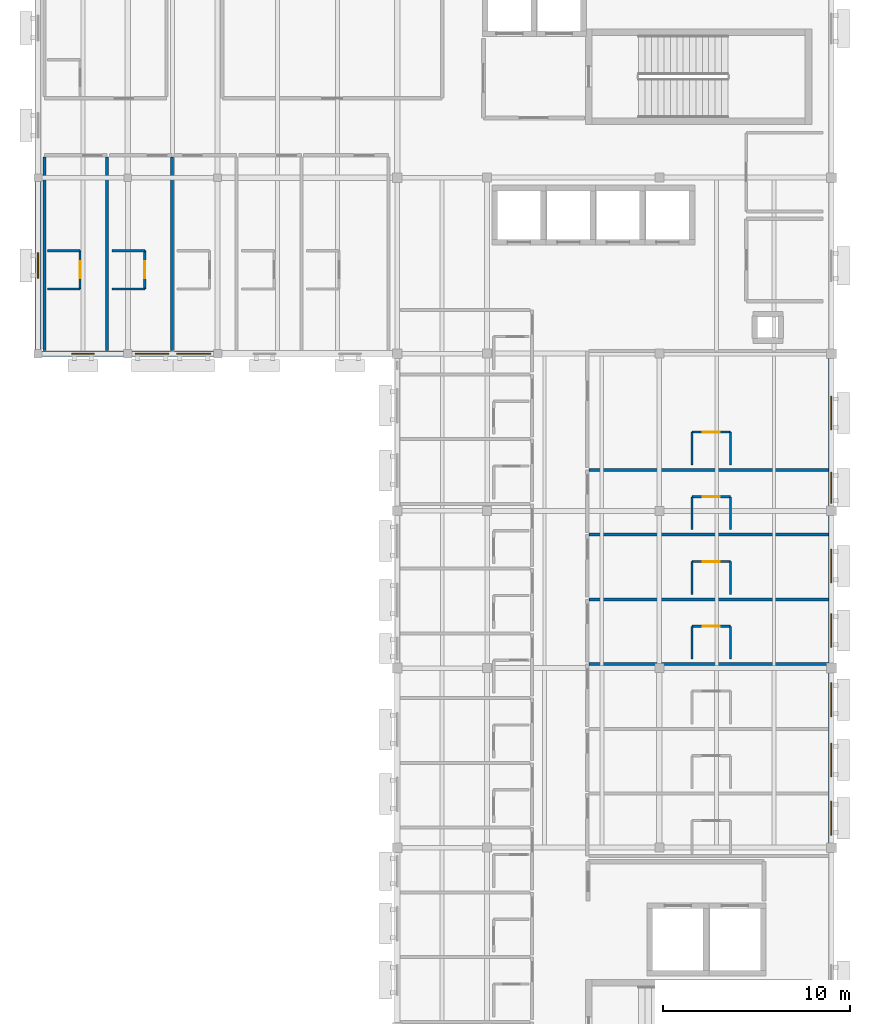
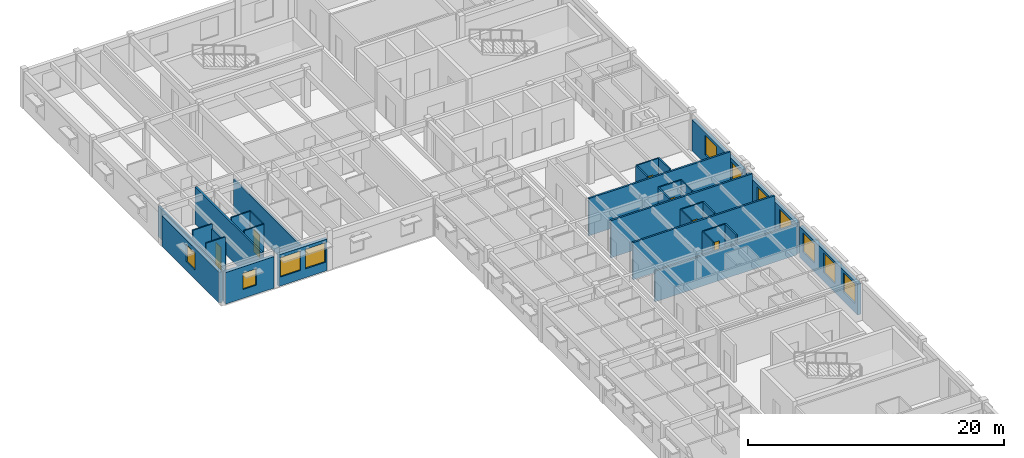
# One storey, part 12 of 20: 31 walls, 11 windows, 6 doors, 17 openings.
"""IFC4 building model written with IfcOpenShell, lengths in metres."""

from ifc_helpers import new_model, si_unit, direction, frame, frame_2d, origin, place, context, subcontext, project, spatial, rectangle, extrude, material, layer, layer_set, type_object, element, fill, save


model = new_model("IFC4")

# Units and contexts
model_context = context("Model", 3, precision=1e-05, world=origin(), true_north=direction((0.0, 1.0)))
body_context = subcontext(model_context, "Body", "Model", "MODEL_VIEW")
ifc_project = project(units=[si_unit("LENGTHUNIT", "METRE"), si_unit("AREAUNIT", "SQUARE_METRE"), si_unit("VOLUMEUNIT", "CUBIC_METRE"), si_unit("PLANEANGLEUNIT", "RADIAN"), si_unit("MASSUNIT", "GRAM", prefix="KILO")], contexts=[model_context])

# Site, building, storey
site_placement = place(None, origin())
site = spatial("IfcSite", under=ifc_project, at=site_placement, CompositionType="ELEMENT")
building_placement = place(site_placement, origin())
building = spatial("IfcBuilding", under=site, at=building_placement, Name="Veldera Park Congress Hotel", CompositionType="ELEMENT")
storey_placement = place(building_placement, frame((0.0, 0.0, 27.60009765625)))
storey = spatial("IfcBuildingStorey", under=building, at=storey_placement, Name="L06", CompositionType="ELEMENT", Elevation=27.60009765625)

# Wall, openings, windows
ifc_material_1 = material(Name="Cross-laminated timber CLT V2M1.1", Category="wood")
ifc_layer_1 = layer(ifc_material_1, 0.300048828125)
ifc_layer_set_1 = layer_set([ifc_layer_1], Name="Cross-laminated timber CLT V2M1.1")
wall_type_1 = type_object("IfcWallType", Name="EW-CLT300", PredefinedType="STANDARD", material=ifc_layer_set_1)
wall_1_placement = place(storey_placement, frame((84.0, 0.85791015625, 0.0), z_axis=(0.0, 0.0, 1.0), x_axis=(0.0, 1.0, 0.0)))
wall_1 = element("IfcWall", 1, at=wall_1_placement, inside=storey, type_object=wall_type_1, Name="L06 Exterior Wall EW3-L06-0316", PredefinedType="STANDARD", context=body_context, shape_type="SweptSolid", body=[
    extrude(rectangle(XDim=9.083984375, YDim=0.300048828125, at=frame_2d((4.5419921875, 0.0))), origin(), (0.0, 0.0, 1.0), 2.969970703125),
])
opening_1_placement = place(wall_1_placement, frame((0.416015625, 0.0, 0.85009765625)))
opening_1 = element("IfcOpeningElement", 2, at=opening_1_placement, cuts=wall_1, Name="Opening WIN-1800", PredefinedType="OPENING", context=body_context, shape_type="SweptSolid", body=[
    extrude(rectangle(XDim=1.800048828125, YDim=1.85009765625, at=frame_2d((0.89990234375, 0.925048828125))), frame((0.0, 0.162109375, 0.0), z_axis=(0.0, -1.0, 0.0), x_axis=(1.0, 0.0, 0.0)), (0.0, 0.0, 1.0), 0.323974609375),
])
opening_2_placement = place(wall_1_placement, frame((3.52197265625, 0.0, 0.85009765625)))
opening_2 = element("IfcOpeningElement", 3, at=opening_2_placement, cuts=wall_1, Name="Opening WIN-1800", PredefinedType="OPENING", context=body_context, shape_type="SweptSolid", body=[
    extrude(rectangle(XDim=1.800048828125, YDim=1.85009765625, at=frame_2d((0.89990234375, 0.925048828125))), frame((0.0, 0.162109375, 0.0), z_axis=(0.0, -1.0, 0.0), x_axis=(1.0, 0.0, 0.0)), (0.0, 0.0, 1.0), 0.323974609375),
])
opening_3_placement = place(wall_1_placement, frame((6.748046875, 0.0, 0.85009765625)))
opening_3 = element("IfcOpeningElement", 4, at=opening_3_placement, cuts=wall_1, Name="Opening WIN-1800", PredefinedType="OPENING", context=body_context, shape_type="SweptSolid", body=[
    extrude(rectangle(XDim=1.800048828125, YDim=1.85009765625, at=frame_2d((0.89990234375, 0.925048828125))), frame((0.0, 0.162109375, 0.0), z_axis=(0.0, -1.0, 0.0), x_axis=(1.0, 0.0, 0.0)), (0.0, 0.0, 1.0), 0.323974609375),
])
ifc_material_2 = material(Name="Low-E Triple Insulating Glass Unit (SHGC 0.22)", Category="glass")
window_type_1 = type_object("IfcWindowType", Name="WIN-1800", PartitioningType="SINGLE_PANEL", PredefinedType="WINDOW", material=ifc_material_2)
window_1_placement = place(opening_1_placement, origin())
window_1 = element("IfcWindow", 5, at=window_1_placement, inside=storey, type_object=window_type_1, Name="L06 Window WIN-1800 531", OverallHeight=1.85009765625, OverallWidth=1.800048828125, PartitioningType="SINGLE_PANEL", PredefinedType="WINDOW", context=body_context, shape_type="SweptSolid", body=[
    extrude(rectangle(XDim=1.800048828125, YDim=1.85009765625, at=frame_2d((0.89990234375, 0.925048828125))), frame((0.0, 0.030029296875, 0.0), z_axis=(0.0, -1.0, 0.0), x_axis=(1.0, 0.0, 0.0)), (0.0, 0.0, 1.0), 0.06005859375),
])
fill(opening_1, window_1)
window_2_placement = place(opening_2_placement, origin())
window_2 = element("IfcWindow", 6, at=window_2_placement, inside=storey, type_object=window_type_1, Name="L06 Window WIN-1800 532", OverallHeight=1.85009765625, OverallWidth=1.800048828125, PartitioningType="SINGLE_PANEL", PredefinedType="WINDOW", context=body_context, shape_type="SweptSolid", body=[
    extrude(rectangle(XDim=1.800048828125, YDim=1.85009765625, at=frame_2d((0.89990234375, 0.925048828125))), frame((0.0, 0.030029296875, 0.0), z_axis=(0.0, -1.0, 0.0), x_axis=(1.0, 0.0, 0.0)), (0.0, 0.0, 1.0), 0.06005859375),
])
fill(opening_2, window_2)
window_3_placement = place(opening_3_placement, origin())
window_3 = element("IfcWindow", 7, at=window_3_placement, inside=storey, type_object=window_type_1, Name="L06 Window WIN-1800 533", OverallHeight=1.85009765625, OverallWidth=1.800048828125, PartitioningType="SINGLE_PANEL", PredefinedType="WINDOW", context=body_context, shape_type="SweptSolid", body=[
    extrude(rectangle(XDim=1.800048828125, YDim=1.85009765625, at=frame_2d((0.89990234375, 0.925048828125))), frame((0.0, 0.030029296875, 0.0), z_axis=(0.0, -1.0, 0.0), x_axis=(1.0, 0.0, 0.0)), (0.0, 0.0, 1.0), 0.06005859375),
])
fill(opening_3, window_3)

wall_2_placement = place(storey_placement, frame((84.0, 10.4580078125, 0.0), z_axis=(0.0, 0.0, 1.0), x_axis=(0.0, 1.0, 0.0)))
wall_2 = element("IfcWall", 8, at=wall_2_placement, inside=storey, type_object=wall_type_1, Name="L06 Exterior Wall EW3-L06-0317", PredefinedType="STANDARD", context=body_context, shape_type="SweptSolid", body=[
    extrude(rectangle(XDim=7.884033203125, YDim=0.300048828125, at=frame_2d((3.94189453125, 0.0))), origin(), (0.0, 0.0, 1.0), 2.969970703125),
])
opening_4_placement = place(wall_2_placement, frame((0.842041015625, 0.0, 0.85009765625)))
opening_4 = element("IfcOpeningElement", 9, at=opening_4_placement, cuts=wall_2, Name="Opening WIN-1800", PredefinedType="OPENING", context=body_context, shape_type="SweptSolid", body=[
    extrude(rectangle(XDim=1.800048828125, YDim=1.85009765625, at=frame_2d((0.89990234375, 0.925048828125))), frame((0.0, 0.162109375, 0.0), z_axis=(0.0, -1.0, 0.0), x_axis=(1.0, 0.0, 0.0)), (0.0, 0.0, 1.0), 0.323974609375),
])
opening_5_placement = place(wall_2_placement, frame((4.302001953125, 0.0, 0.85009765625)))
opening_5 = element("IfcOpeningElement", 10, at=opening_5_placement, cuts=wall_2, Name="Opening WIN-1800", PredefinedType="OPENING", context=body_context, shape_type="SweptSolid", body=[
    extrude(rectangle(XDim=1.800048828125, YDim=1.85009765625, at=frame_2d((0.89990234375, 0.925048828125))), frame((0.0, 0.162109375, 0.0), z_axis=(0.0, -1.0, 0.0), x_axis=(1.0, 0.0, 0.0)), (0.0, 0.0, 1.0), 0.323974609375),
])
window_4_placement = place(opening_4_placement, origin())
window_4 = element("IfcWindow", 11, at=window_4_placement, inside=storey, type_object=window_type_1, Name="L06 Window WIN-1800 534", OverallHeight=1.85009765625, OverallWidth=1.800048828125, PartitioningType="SINGLE_PANEL", PredefinedType="WINDOW", context=body_context, shape_type="SweptSolid", body=[
    extrude(rectangle(XDim=1.800048828125, YDim=1.85009765625, at=frame_2d((0.89990234375, 0.925048828125))), frame((0.0, 0.030029296875, 0.0), z_axis=(0.0, -1.0, 0.0), x_axis=(1.0, 0.0, 0.0)), (0.0, 0.0, 1.0), 0.06005859375),
])
fill(opening_4, window_4)
window_5_placement = place(opening_5_placement, origin())
window_5 = element("IfcWindow", 12, at=window_5_placement, inside=storey, type_object=window_type_1, Name="L06 Window WIN-1800 535", OverallHeight=1.85009765625, OverallWidth=1.800048828125, PartitioningType="SINGLE_PANEL", PredefinedType="WINDOW", context=body_context, shape_type="SweptSolid", body=[
    extrude(rectangle(XDim=1.800048828125, YDim=1.85009765625, at=frame_2d((0.89990234375, 0.925048828125))), frame((0.0, 0.030029296875, 0.0), z_axis=(0.0, -1.0, 0.0), x_axis=(1.0, 0.0, 0.0)), (0.0, 0.0, 1.0), 0.06005859375),
])
fill(opening_5, window_5)

wall_3_placement = place(storey_placement, frame((84.0, 18.85791015625, 0.0), z_axis=(0.0, 0.0, 1.0), x_axis=(0.0, 1.0, 0.0)))
wall_3 = element("IfcWall", 13, at=wall_3_placement, inside=storey, type_object=wall_type_1, Name="L06 Exterior Wall EW3-L06-0318", PredefinedType="STANDARD", context=body_context, shape_type="SweptSolid", body=[
    extrude(rectangle(XDim=7.884033203125, YDim=0.300048828125, at=frame_2d((3.94189453125, 0.0))), origin(), (0.0, 0.0, 1.0), 2.969970703125),
])
opening_6_placement = place(wall_3_placement, frame((0.14111328125, 0.0, 0.85009765625)))
opening_6 = element("IfcOpeningElement", 14, at=opening_6_placement, cuts=wall_3, Name="Opening WIN-1650", PredefinedType="OPENING", context=body_context, shape_type="SweptSolid", body=[
    extrude(rectangle(XDim=1.64990234375, YDim=1.800048828125, at=frame_2d((0.824951171875, 0.89990234375))), frame((0.0, 0.162109375, 0.0), z_axis=(0.0, -1.0, 0.0), x_axis=(1.0, 0.0, 0.0)), (0.0, 0.0, 1.0), 0.323974609375),
])
opening_7_placement = place(wall_3_placement, frame((4.068115234375, 0.0, 0.85009765625)))
opening_7 = element("IfcOpeningElement", 15, at=opening_7_placement, cuts=wall_3, Name="Opening WIN-1800", PredefinedType="OPENING", context=body_context, shape_type="SweptSolid", body=[
    extrude(rectangle(XDim=1.800048828125, YDim=1.85009765625, at=frame_2d((0.89990234375, 0.925048828125))), frame((0.0, 0.162109375, 0.0), z_axis=(0.0, -1.0, 0.0), x_axis=(1.0, 0.0, 0.0)), (0.0, 0.0, 1.0), 0.323974609375),
])
window_type_2 = type_object("IfcWindowType", Name="WIN-1650", PartitioningType="SINGLE_PANEL", PredefinedType="WINDOW", material=ifc_material_2)
window_6_placement = place(opening_6_placement, origin())
window_6 = element("IfcWindow", 16, at=window_6_placement, inside=storey, type_object=window_type_2, Name="L06 Window WIN-1650 536", OverallHeight=1.800048828125, OverallWidth=1.64990234375, PartitioningType="SINGLE_PANEL", PredefinedType="WINDOW", context=body_context, shape_type="SweptSolid", body=[
    extrude(rectangle(XDim=1.64990234375, YDim=1.800048828125, at=frame_2d((0.824951171875, 0.89990234375))), frame((0.0, 0.030029296875, 0.0), z_axis=(0.0, -1.0, 0.0), x_axis=(1.0, 0.0, 0.0)), (0.0, 0.0, 1.0), 0.06005859375),
])
fill(opening_6, window_6)
window_7_placement = place(opening_7_placement, origin())
window_7 = element("IfcWindow", 17, at=window_7_placement, inside=storey, type_object=window_type_1, Name="L06 Window WIN-1800 537", OverallHeight=1.85009765625, OverallWidth=1.800048828125, PartitioningType="SINGLE_PANEL", PredefinedType="WINDOW", context=body_context, shape_type="SweptSolid", body=[
    extrude(rectangle(XDim=1.800048828125, YDim=1.85009765625, at=frame_2d((0.89990234375, 0.925048828125))), frame((0.0, 0.030029296875, 0.0), z_axis=(0.0, -1.0, 0.0), x_axis=(1.0, 0.0, 0.0)), (0.0, 0.0, 1.0), 0.06005859375),
])
fill(opening_7, window_7)

# Wall, opening, window
wall_4_placement = place(storey_placement, frame((41.60009765625, 36.19189453125, 0.0), z_axis=(0.0, 0.0, 1.0), x_axis=(0.0, -1.0, 0.0)))
wall_4 = element("IfcWall", 18, at=wall_4_placement, inside=storey, type_object=wall_type_1, Name="L06 Exterior Wall EW3-L06-0328", PredefinedType="STANDARD", context=body_context, shape_type="SweptSolid", body=[
    extrude(rectangle(XDim=8.968994140625, YDim=0.300048828125, at=frame_2d((4.484375, 0.0))), origin(), (0.0, 0.0, 1.0), 2.929931640625),
])
opening_8_placement = place(wall_4_placement, frame((3.8095703125, 0.0, 0.85009765625)))
opening_8 = element("IfcOpeningElement", 19, at=opening_8_placement, cuts=wall_4, Name="Opening WIN-1350", PredefinedType="OPENING", context=body_context, shape_type="SweptSolid", body=[
    extrude(rectangle(XDim=1.35009765625, YDim=1.64990234375, at=frame_2d((0.675048828125, 0.824951171875))), frame((0.0, 0.162109375, 0.0), z_axis=(0.0, -1.0, 0.0), x_axis=(1.0, 0.0, 0.0)), (0.0, 0.0, 1.0), 0.323974609375),
])
window_type_3 = type_object("IfcWindowType", Name="WIN-1350", PartitioningType="SINGLE_PANEL", PredefinedType="WINDOW", material=ifc_material_2)
window_8_placement = place(opening_8_placement, origin())
window_8 = element("IfcWindow", 20, at=window_8_placement, inside=storey, type_object=window_type_3, Name="L06 Window WIN-1350 250", OverallHeight=1.64990234375, OverallWidth=1.35009765625, PartitioningType="SINGLE_PANEL", PredefinedType="WINDOW", context=body_context, shape_type="SweptSolid", body=[
    extrude(rectangle(XDim=1.35009765625, YDim=1.64990234375, at=frame_2d((0.675048828125, 0.824951171875))), frame((0.0, 0.030029296875, 0.0), z_axis=(0.0, -1.0, 0.0), x_axis=(1.0, 0.0, 0.0)), (0.0, 0.0, 1.0), 0.06005859375),
])
fill(opening_8, window_8)

wall_5_placement = place(storey_placement, frame((41.822998046875, 27.0, 0.0), z_axis=(0.0, 0.0, 1.0), x_axis=(1.0, 0.0, 0.0)))
wall_5 = element("IfcWall", 21, at=wall_5_placement, inside=storey, type_object=wall_type_1, Name="L06 Exterior Wall EW3-L06-0329", PredefinedType="STANDARD", context=body_context, shape_type="SweptSolid", body=[
    extrude(rectangle(XDim=4.35400390625, YDim=0.300048828125, at=frame_2d((2.177001953125, 0.0))), origin(), (0.0, 0.0, 1.0), 3.010009765625),
])
opening_9_placement = place(wall_5_placement, frame((1.576904296875, 0.0, 0.85009765625)))
opening_9 = element("IfcOpeningElement", 22, at=opening_9_placement, cuts=wall_5, Name="Opening WIN-1200", PredefinedType="OPENING", context=body_context, shape_type="SweptSolid", body=[
    extrude(rectangle(XDim=1.199951171875, YDim=1.550048828125, at=frame_2d((0.60009765625, 0.77490234375))), frame((0.0, 0.162109375, 0.0), z_axis=(0.0, -1.0, 0.0), x_axis=(1.0, 0.0, 0.0)), (0.0, 0.0, 1.0), 0.323974609375),
])
window_type_4 = type_object("IfcWindowType", Name="WIN-1200", PartitioningType="SINGLE_PANEL", PredefinedType="WINDOW", material=ifc_material_2)
window_9_placement = place(opening_9_placement, origin())
window_9 = element("IfcWindow", 23, at=window_9_placement, inside=storey, type_object=window_type_4, Name="L06 Window WIN-1200 251", OverallHeight=1.550048828125, OverallWidth=1.199951171875, PartitioningType="SINGLE_PANEL", PredefinedType="WINDOW", context=body_context, shape_type="SweptSolid", body=[
    extrude(rectangle(XDim=1.199951171875, YDim=1.550048828125, at=frame_2d((0.60009765625, 0.77490234375))), frame((0.0, 0.030029296875, 0.0), z_axis=(0.0, -1.0, 0.0), x_axis=(1.0, 0.0, 0.0)), (0.0, 0.0, 1.0), 0.06005859375),
])
fill(opening_9, window_9)

# Wall, openings, windows
wall_6_placement = place(storey_placement, frame((46.623046875, 27.0, 0.0), z_axis=(0.0, 0.0, 1.0), x_axis=(1.0, 0.0, 0.0)))
wall_6 = element("IfcWall", 24, at=wall_6_placement, inside=storey, type_object=wall_type_1, Name="L06 Exterior Wall EW3-L06-0330", PredefinedType="STANDARD", context=body_context, shape_type="SweptSolid", body=[
    extrude(rectangle(XDim=4.35400390625, YDim=0.300048828125, at=frame_2d((2.177001953125, 0.0))), origin(), (0.0, 0.0, 1.0), 3.010009765625),
])
opening_10_placement = place(wall_6_placement, frame((0.16357421875, 0.0, 0.85009765625)))
opening_10 = element("IfcOpeningElement", 25, at=opening_10_placement, cuts=wall_6, Name="Opening WIN-1800", PredefinedType="OPENING", context=body_context, shape_type="SweptSolid", body=[
    extrude(rectangle(XDim=1.800048828125, YDim=1.85009765625, at=frame_2d((0.89990234375, 0.925048828125))), frame((0.0, 0.162109375, 0.0), z_axis=(0.0, -1.0, 0.0), x_axis=(1.0, 0.0, 0.0)), (0.0, 0.0, 1.0), 0.323974609375),
])
opening_11_placement = place(wall_6_placement, frame((2.400390625, 0.0, 0.85009765625)))
opening_11 = element("IfcOpeningElement", 26, at=opening_11_placement, cuts=wall_6, Name="Opening WIN-1800", PredefinedType="OPENING", context=body_context, shape_type="SweptSolid", body=[
    extrude(rectangle(XDim=1.800048828125, YDim=1.85009765625, at=frame_2d((0.89990234375, 0.925048828125))), frame((0.0, 0.162109375, 0.0), z_axis=(0.0, -1.0, 0.0), x_axis=(1.0, 0.0, 0.0)), (0.0, 0.0, 1.0), 0.323974609375),
])
window_10_placement = place(opening_10_placement, origin())
window_10 = element("IfcWindow", 27, at=window_10_placement, inside=storey, type_object=window_type_1, Name="L06 Window WIN-1800 538", OverallHeight=1.85009765625, OverallWidth=1.800048828125, PartitioningType="SINGLE_PANEL", PredefinedType="WINDOW", context=body_context, shape_type="SweptSolid", body=[
    extrude(rectangle(XDim=1.800048828125, YDim=1.85009765625, at=frame_2d((0.89990234375, 0.925048828125))), frame((0.0, 0.030029296875, 0.0), z_axis=(0.0, -1.0, 0.0), x_axis=(1.0, 0.0, 0.0)), (0.0, 0.0, 1.0), 0.06005859375),
])
fill(opening_10, window_10)
window_11_placement = place(opening_11_placement, origin())
window_11 = element("IfcWindow", 28, at=window_11_placement, inside=storey, type_object=window_type_1, Name="L06 Window WIN-1800 539", OverallHeight=1.85009765625, OverallWidth=1.800048828125, PartitioningType="SINGLE_PANEL", PredefinedType="WINDOW", context=body_context, shape_type="SweptSolid", body=[
    extrude(rectangle(XDim=1.800048828125, YDim=1.85009765625, at=frame_2d((0.89990234375, 0.925048828125))), frame((0.0, 0.030029296875, 0.0), z_axis=(0.0, -1.0, 0.0), x_axis=(1.0, 0.0, 0.0)), (0.0, 0.0, 1.0), 0.06005859375),
])
fill(opening_11, window_11)

# Walls
ifc_material_3 = material(Name="Fire-Rated Gypsum Board on Cold-Formed Steel Studs", Category="steel")
ifc_layer_2 = layer(ifc_material_3, 0.1201171875)
ifc_layer_set_2 = layer_set([ifc_layer_2], Name="Fire-Rated Gypsum Board on Cold-Formed Steel Studs")
wall_type_2 = type_object("IfcWallType", Name="IW-BATH120", PredefinedType="PARTITIONING", material=ifc_layer_set_2)
for number, where, z_axis, x_axis, name in (
    (29, (76.550048828125, 10.679931640625, 0.0), (0.0, 0.0, 1.0), (0.0, 1.0, 0.0), "L06 Partition Wall IW3-L06-01314"),
    (30, (78.60009765625, 10.679931640625, 0.0), (0.0, 0.0, 1.0), (0.0, 1.0, 0.0), "L06 Partition Wall IW3-L06-01315"),
):
    element("IfcWall", number, at=place(storey_placement, frame(where, z_axis=z_axis, x_axis=x_axis)), inside=storey, type_object=wall_type_2, Name=name, PredefinedType="PARTITIONING", context=body_context, shape_type="SweptSolid", body=[
        extrude(rectangle(XDim=1.75, YDim=0.1201171875, at=frame_2d((0.875, 0.0))), origin(), (0.0, 0.0, 1.0), 3.554931640625),
    ])

# Wall, opening, door
wall_7_placement = place(storey_placement, frame((76.550048828125, 12.429931640625, 0.0), z_axis=(0.0, 0.0, 1.0), x_axis=(1.0, 0.0, 0.0)))
wall_7 = element("IfcWall", 31, at=wall_7_placement, inside=storey, type_object=wall_type_2, Name="L06 Partition Wall IW3-L06-01316", PredefinedType="PARTITIONING", context=body_context, shape_type="SweptSolid", body=[
    extrude(rectangle(XDim=2.050048828125, YDim=0.1201171875, at=frame_2d((1.02490234375, 0.0))), origin(), (0.0, 0.0, 1.0), 3.554931640625),
])
opening_12_placement = place(wall_7_placement, frame((0.574951171875, 0.0, 0.0)))
opening_12 = element("IfcOpeningElement", 32, at=opening_12_placement, cuts=wall_7, Name="Opening ID-BATH090", PredefinedType="OPENING", context=body_context, shape_type="SweptSolid", body=[
    extrude(rectangle(XDim=0.89990234375, YDim=2.14990234375, at=frame_2d((0.449951171875, 1.074951171875))), frame((0.0, 0.072021484375, 0.0), z_axis=(0.0, -1.0, 0.0), x_axis=(1.0, 0.0, 0.0)), (0.0, 0.0, 1.0), 0.14404296875),
])
ifc_material_4 = material(Name="Solid Core White Oak Architectural Door", Category="wood")
door_type = type_object("IfcDoorType", Name="ID-BATH090", OperationType="NOTDEFINED", PredefinedType="DOOR", material=ifc_material_4)
door_1_placement = place(opening_12_placement, origin())
door_1 = element("IfcDoor", 33, at=door_1_placement, inside=storey, type_object=door_type, Name="L06 En-suite 205 Door ID3-L06-0549 (DR3-ID3-L06-0549)", OperationType="SINGLE_SWING_LEFT", OverallHeight=2.14990234375, OverallWidth=0.89990234375, PredefinedType="DOOR", context=body_context, shape_type="SweptSolid", body=[
    extrude(rectangle(XDim=0.89990234375, YDim=2.14990234375, at=frame_2d((0.449951171875, 1.074951171875))), frame((0.0, 0.02490234375, 0.0), z_axis=(0.0, -1.0, 0.0), x_axis=(1.0, 0.0, 0.0)), (0.0, 0.0, 1.0), 0.050048828125),
])
fill(opening_12, door_1)

# Walls
for number, where, z_axis, x_axis, name in (
    (34, (76.550048828125, 14.139892578125, 0.0), (0.0, 0.0, 1.0), (0.0, 1.0, 0.0), "L06 Partition Wall IW3-L06-01319"),
    (35, (78.60009765625, 14.139892578125, 0.0), (0.0, 0.0, 1.0), (0.0, 1.0, 0.0), "L06 Partition Wall IW3-L06-01320"),
):
    element("IfcWall", number, at=place(storey_placement, frame(where, z_axis=z_axis, x_axis=x_axis)), inside=storey, type_object=wall_type_2, Name=name, PredefinedType="PARTITIONING", context=body_context, shape_type="SweptSolid", body=[
        extrude(rectangle(XDim=1.75, YDim=0.1201171875, at=frame_2d((0.875, 0.0))), origin(), (0.0, 0.0, 1.0), 3.554931640625),
    ])

# Wall, opening, door
wall_8_placement = place(storey_placement, frame((76.550048828125, 15.889892578125, 0.0), z_axis=(0.0, 0.0, 1.0), x_axis=(1.0, 0.0, 0.0)))
wall_8 = element("IfcWall", 36, at=wall_8_placement, inside=storey, type_object=wall_type_2, Name="L06 Partition Wall IW3-L06-01321", PredefinedType="PARTITIONING", context=body_context, shape_type="SweptSolid", body=[
    extrude(rectangle(XDim=2.050048828125, YDim=0.1201171875, at=frame_2d((1.02490234375, 0.0))), origin(), (0.0, 0.0, 1.0), 3.554931640625),
])
opening_13_placement = place(wall_8_placement, frame((0.574951171875, 0.0, 0.0)))
opening_13 = element("IfcOpeningElement", 37, at=opening_13_placement, cuts=wall_8, Name="Opening ID-BATH090", PredefinedType="OPENING", context=body_context, shape_type="SweptSolid", body=[
    extrude(rectangle(XDim=0.89990234375, YDim=2.14990234375, at=frame_2d((0.449951171875, 1.074951171875))), frame((0.0, 0.072021484375, 0.0), z_axis=(0.0, -1.0, 0.0), x_axis=(1.0, 0.0, 0.0)), (0.0, 0.0, 1.0), 0.14404296875),
])
door_2_placement = place(opening_13_placement, origin())
door_2 = element("IfcDoor", 38, at=door_2_placement, inside=storey, type_object=door_type, Name="L06 En-suite 206 Door ID3-L06-0551 (DR3-ID3-L06-0551)", OperationType="SINGLE_SWING_LEFT", OverallHeight=2.14990234375, OverallWidth=0.89990234375, PredefinedType="DOOR", context=body_context, shape_type="SweptSolid", body=[
    extrude(rectangle(XDim=0.89990234375, YDim=2.14990234375, at=frame_2d((0.449951171875, 1.074951171875))), frame((0.0, 0.02490234375, 0.0), z_axis=(0.0, -1.0, 0.0), x_axis=(1.0, 0.0, 0.0)), (0.0, 0.0, 1.0), 0.050048828125),
])
fill(opening_13, door_2)

# Walls
for number, where, z_axis, x_axis, name in (
    (39, (76.550048828125, 17.60009765625, 0.0), (0.0, 0.0, 1.0), (0.0, 1.0, 0.0), "L06 Partition Wall IW3-L06-01324"),
    (40, (78.60009765625, 17.60009765625, 0.0), (0.0, 0.0, 1.0), (0.0, 1.0, 0.0), "L06 Partition Wall IW3-L06-01325"),
):
    element("IfcWall", number, at=place(storey_placement, frame(where, z_axis=z_axis, x_axis=x_axis)), inside=storey, type_object=wall_type_2, Name=name, PredefinedType="PARTITIONING", context=body_context, shape_type="SweptSolid", body=[
        extrude(rectangle(XDim=1.75, YDim=0.1201171875, at=frame_2d((0.875, 0.0))), origin(), (0.0, 0.0, 1.0), 3.554931640625),
    ])

# Wall, opening, door
wall_9_placement = place(storey_placement, frame((76.550048828125, 19.35009765625, 0.0), z_axis=(0.0, 0.0, 1.0), x_axis=(1.0, 0.0, 0.0)))
wall_9 = element("IfcWall", 41, at=wall_9_placement, inside=storey, type_object=wall_type_2, Name="L06 Partition Wall IW3-L06-01326", PredefinedType="PARTITIONING", context=body_context, shape_type="SweptSolid", body=[
    extrude(rectangle(XDim=2.050048828125, YDim=0.1201171875, at=frame_2d((1.02490234375, 0.0))), origin(), (0.0, 0.0, 1.0), 3.554931640625),
])
opening_14_placement = place(wall_9_placement, frame((0.574951171875, 0.0, 0.0)))
opening_14 = element("IfcOpeningElement", 42, at=opening_14_placement, cuts=wall_9, Name="Opening ID-BATH090", PredefinedType="OPENING", context=body_context, shape_type="SweptSolid", body=[
    extrude(rectangle(XDim=0.89990234375, YDim=2.14990234375, at=frame_2d((0.449951171875, 1.074951171875))), frame((0.0, 0.072021484375, 0.0), z_axis=(0.0, -1.0, 0.0), x_axis=(1.0, 0.0, 0.0)), (0.0, 0.0, 1.0), 0.14404296875),
])
door_3_placement = place(opening_14_placement, origin())
door_3 = element("IfcDoor", 43, at=door_3_placement, inside=storey, type_object=door_type, Name="L06 En-suite 207 Door ID3-L06-0553 (DR3-ID3-L06-0553)", OperationType="SINGLE_SWING_LEFT", OverallHeight=2.14990234375, OverallWidth=0.89990234375, PredefinedType="DOOR", context=body_context, shape_type="SweptSolid", body=[
    extrude(rectangle(XDim=0.89990234375, YDim=2.14990234375, at=frame_2d((0.449951171875, 1.074951171875))), frame((0.0, 0.02490234375, 0.0), z_axis=(0.0, -1.0, 0.0), x_axis=(1.0, 0.0, 0.0)), (0.0, 0.0, 1.0), 0.050048828125),
])
fill(opening_14, door_3)

# Walls
for number, where, z_axis, x_axis, name in (
    (44, (76.550048828125, 21.06005859375, 0.0), (0.0, 0.0, 1.0), (0.0, 1.0, 0.0), "L06 Partition Wall IW3-L06-01329"),
    (45, (78.60009765625, 21.06005859375, 0.0), (0.0, 0.0, 1.0), (0.0, 1.0, 0.0), "L06 Partition Wall IW3-L06-01330"),
):
    element("IfcWall", number, at=place(storey_placement, frame(where, z_axis=z_axis, x_axis=x_axis)), inside=storey, type_object=wall_type_2, Name=name, PredefinedType="PARTITIONING", context=body_context, shape_type="SweptSolid", body=[
        extrude(rectangle(XDim=1.75, YDim=0.1201171875, at=frame_2d((0.875, 0.0))), origin(), (0.0, 0.0, 1.0), 3.554931640625),
    ])

# Wall, opening, door
wall_10_placement = place(storey_placement, frame((76.550048828125, 22.81005859375, 0.0), z_axis=(0.0, 0.0, 1.0), x_axis=(1.0, 0.0, 0.0)))
wall_10 = element("IfcWall", 46, at=wall_10_placement, inside=storey, type_object=wall_type_2, Name="L06 Partition Wall IW3-L06-01331", PredefinedType="PARTITIONING", context=body_context, shape_type="SweptSolid", body=[
    extrude(rectangle(XDim=2.050048828125, YDim=0.1201171875, at=frame_2d((1.02490234375, 0.0))), origin(), (0.0, 0.0, 1.0), 3.554931640625),
])
opening_15_placement = place(wall_10_placement, frame((0.574951171875, 0.0, 0.0)))
opening_15 = element("IfcOpeningElement", 47, at=opening_15_placement, cuts=wall_10, Name="Opening ID-BATH090", PredefinedType="OPENING", context=body_context, shape_type="SweptSolid", body=[
    extrude(rectangle(XDim=0.89990234375, YDim=2.14990234375, at=frame_2d((0.449951171875, 1.074951171875))), frame((0.0, 0.072021484375, 0.0), z_axis=(0.0, -1.0, 0.0), x_axis=(1.0, 0.0, 0.0)), (0.0, 0.0, 1.0), 0.14404296875),
])
door_4_placement = place(opening_15_placement, origin())
door_4 = element("IfcDoor", 48, at=door_4_placement, inside=storey, type_object=door_type, Name="L06 En-suite 208 Door ID3-L06-0555 (DR3-ID3-L06-0555)", OperationType="SINGLE_SWING_LEFT", OverallHeight=2.14990234375, OverallWidth=0.89990234375, PredefinedType="DOOR", context=body_context, shape_type="SweptSolid", body=[
    extrude(rectangle(XDim=0.89990234375, YDim=2.14990234375, at=frame_2d((0.449951171875, 1.074951171875))), frame((0.0, 0.02490234375, 0.0), z_axis=(0.0, -1.0, 0.0), x_axis=(1.0, 0.0, 0.0)), (0.0, 0.0, 1.0), 0.050048828125),
])
fill(opening_15, door_4)

# Wall
wall_11_placement = place(storey_placement, frame((42.10009765625, 32.5, 0.0), z_axis=(0.0, 0.0, 1.0), x_axis=(1.0, 0.0, 0.0)))
element("IfcWall", 49, at=wall_11_placement, inside=storey, type_object=wall_type_2, Name="L06 Partition Wall IW3-L06-01335", PredefinedType="PARTITIONING", context=body_context, shape_type="SweptSolid", body=[
    extrude(rectangle(XDim=1.75, YDim=0.1201171875, at=frame_2d((0.875, 0.0))), origin(), (0.0, 0.0, 1.0), 3.554931640625),
])

# Wall, opening, door
wall_12_placement = place(storey_placement, frame((43.85009765625, 30.449951171875, 0.0), z_axis=(0.0, 0.0, 1.0), x_axis=(0.0, 1.0, 0.0)))
wall_12 = element("IfcWall", 50, at=wall_12_placement, inside=storey, type_object=wall_type_2, Name="L06 Partition Wall IW3-L06-01336", PredefinedType="PARTITIONING", context=body_context, shape_type="SweptSolid", body=[
    extrude(rectangle(XDim=2.050048828125, YDim=0.1201171875, at=frame_2d((1.02490234375, 0.0))), origin(), (0.0, 0.0, 1.0), 3.099853515625),
])
opening_16_placement = place(wall_12_placement, frame((0.574951171875, 0.0, 0.0)))
opening_16 = element("IfcOpeningElement", 51, at=opening_16_placement, cuts=wall_12, Name="Opening ID-BATH090", PredefinedType="OPENING", context=body_context, shape_type="SweptSolid", body=[
    extrude(rectangle(XDim=0.89990234375, YDim=2.14990234375, at=frame_2d((0.449951171875, 1.074951171875))), frame((0.0, 0.072021484375, 0.0), z_axis=(0.0, -1.0, 0.0), x_axis=(1.0, 0.0, 0.0)), (0.0, 0.0, 1.0), 0.14404296875),
])
door_5_placement = place(opening_16_placement, origin())
door_5 = element("IfcDoor", 52, at=door_5_placement, inside=storey, type_object=door_type, Name="L06 En-suite 209 Door ID3-L06-0557 (DR3-ID3-L06-0557)", OperationType="SINGLE_SWING_LEFT", OverallHeight=2.14990234375, OverallWidth=0.89990234375, PredefinedType="DOOR", context=body_context, shape_type="SweptSolid", body=[
    extrude(rectangle(XDim=0.89990234375, YDim=2.14990234375, at=frame_2d((0.449951171875, 1.074951171875))), frame((0.0, 0.02490234375, 0.0), z_axis=(0.0, -1.0, 0.0), x_axis=(1.0, 0.0, 0.0)), (0.0, 0.0, 1.0), 0.050048828125),
])
fill(opening_16, door_5)

# Walls
for number, where, z_axis, x_axis, name in (
    (53, (42.10009765625, 30.449951171875, 0.0), (0.0, 0.0, 1.0), (1.0, 0.0, 0.0), "L06 Partition Wall IW3-L06-01337"),
    (54, (45.56005859375, 32.5, 0.0), (0.0, 0.0, 1.0), (1.0, 0.0, 0.0), "L06 Partition Wall IW3-L06-01340"),
):
    element("IfcWall", number, at=place(storey_placement, frame(where, z_axis=z_axis, x_axis=x_axis)), inside=storey, type_object=wall_type_2, Name=name, PredefinedType="PARTITIONING", context=body_context, shape_type="SweptSolid", body=[
        extrude(rectangle(XDim=1.75, YDim=0.1201171875, at=frame_2d((0.875, 0.0))), origin(), (0.0, 0.0, 1.0), 3.554931640625),
    ])

# Wall, opening, door
wall_13_placement = place(storey_placement, frame((47.31005859375, 30.449951171875, 0.0), z_axis=(0.0, 0.0, 1.0), x_axis=(0.0, 1.0, 0.0)))
wall_13 = element("IfcWall", 55, at=wall_13_placement, inside=storey, type_object=wall_type_2, Name="L06 Partition Wall IW3-L06-01341", PredefinedType="PARTITIONING", context=body_context, shape_type="SweptSolid", body=[
    extrude(rectangle(XDim=2.050048828125, YDim=0.1201171875, at=frame_2d((1.02490234375, 0.0))), origin(), (0.0, 0.0, 1.0), 3.554931640625),
])
opening_17_placement = place(wall_13_placement, frame((0.574951171875, 0.0, 0.0)))
opening_17 = element("IfcOpeningElement", 56, at=opening_17_placement, cuts=wall_13, Name="Opening ID-BATH090", PredefinedType="OPENING", context=body_context, shape_type="SweptSolid", body=[
    extrude(rectangle(XDim=0.89990234375, YDim=2.14990234375, at=frame_2d((0.449951171875, 1.074951171875))), frame((0.0, 0.072021484375, 0.0), z_axis=(0.0, -1.0, 0.0), x_axis=(1.0, 0.0, 0.0)), (0.0, 0.0, 1.0), 0.14404296875),
])
door_6_placement = place(opening_17_placement, origin())
door_6 = element("IfcDoor", 57, at=door_6_placement, inside=storey, type_object=door_type, Name="L06 En-suite 210 Door ID3-L06-0559 (DR3-ID3-L06-0559)", OperationType="SINGLE_SWING_LEFT", OverallHeight=2.14990234375, OverallWidth=0.89990234375, PredefinedType="DOOR", context=body_context, shape_type="SweptSolid", body=[
    extrude(rectangle(XDim=0.89990234375, YDim=2.14990234375, at=frame_2d((0.449951171875, 1.074951171875))), frame((0.0, 0.02490234375, 0.0), z_axis=(0.0, -1.0, 0.0), x_axis=(1.0, 0.0, 0.0)), (0.0, 0.0, 1.0), 0.050048828125),
])
fill(opening_17, door_6)

# Walls
wall_14_placement = place(storey_placement, frame((45.56005859375, 30.449951171875, 0.0), z_axis=(0.0, 0.0, 1.0), x_axis=(1.0, 0.0, 0.0)))
element("IfcWall", 58, at=wall_14_placement, inside=storey, type_object=wall_type_2, Name="L06 Partition Wall IW3-L06-01342", PredefinedType="PARTITIONING", context=body_context, shape_type="SweptSolid", body=[
    extrude(rectangle(XDim=1.75, YDim=0.1201171875, at=frame_2d((0.875, 0.0))), origin(), (0.0, 0.0, 1.0), 3.554931640625),
])
ifc_layer_3 = layer(ifc_material_1, 0.159912109375)
ifc_layer_set_3 = layer_set([ifc_layer_3], Name="Cross-laminated timber CLT V2M1.1")
wall_type_3 = type_object("IfcWallType", Name="IW-UNIT160", PredefinedType="PARTITIONING", material=ifc_layer_set_3)
wall_15_placement = place(storey_placement, frame((71.050048828125, 10.409912109375, 0.0), z_axis=(0.0, 0.0, 1.0), x_axis=(1.0, 0.0, 0.0)))
element("IfcWall", 59, at=wall_15_placement, inside=storey, type_object=wall_type_3, Name="L06 Partition Wall IW3-L06-01308", PredefinedType="PARTITIONING", context=body_context, shape_type="SweptSolid", body=[
    extrude(rectangle(XDim=12.7900390625, YDim=0.159912109375, at=frame_2d((6.39501953125, 0.0))), origin(), (0.0, 0.0, 1.0), 2.929931640625),
])
for number, where, z_axis, x_axis, name in (
    (60, (71.050048828125, 13.8701171875, 0.0), (0.0, 0.0, 1.0), (1.0, 0.0, 0.0), "L06 Partition Wall IW3-L06-01313"),
    (61, (71.050048828125, 17.330078125, 0.0), (0.0, 0.0, 1.0), (1.0, 0.0, 0.0), "L06 Partition Wall IW3-L06-01318"),
    (62, (71.050048828125, 20.7900390625, 0.0), (0.0, 0.0, 1.0), (1.0, 0.0, 0.0), "L06 Partition Wall IW3-L06-01323"),
):
    element("IfcWall", number, at=place(storey_placement, frame(where, z_axis=z_axis, x_axis=x_axis)), inside=storey, type_object=wall_type_3, Name=name, PredefinedType="PARTITIONING", context=body_context, shape_type="SweptSolid", body=[
        extrude(rectangle(XDim=12.7900390625, YDim=0.159912109375, at=frame_2d((6.39501953125, 0.0))), origin(), (0.0, 0.0, 1.0), 3.554931640625),
    ])
wall_16_placement = place(storey_placement, frame((41.949951171875, 27.159912109375, 0.0), z_axis=(0.0, 0.0, 1.0), x_axis=(0.0, 1.0, 0.0)))
element("IfcWall", 63, at=wall_16_placement, inside=storey, type_object=wall_type_3, Name="L06 Partition Wall IW3-L06-01333", PredefinedType="PARTITIONING", context=body_context, shape_type="SweptSolid", body=[
    extrude(rectangle(XDim=10.340087890625, YDim=0.159912109375, at=frame_2d((5.169921875, 0.0))), origin(), (0.0, 0.0, 1.0), 2.909912109375),
])
wall_17_placement = place(storey_placement, frame((45.2900390625, 27.159912109375, 0.0), z_axis=(0.0, 0.0, 1.0), x_axis=(0.0, 1.0, 0.0)))
element("IfcWall", 64, at=wall_17_placement, inside=storey, type_object=wall_type_3, Name="L06 Partition Wall IW3-L06-01334", PredefinedType="PARTITIONING", context=body_context, shape_type="SweptSolid", body=[
    extrude(rectangle(XDim=10.340087890625, YDim=0.159912109375, at=frame_2d((5.169921875, 0.0))), origin(), (0.0, 0.0, 1.0), 3.554931640625),
])
wall_18_placement = place(storey_placement, frame((48.75, 27.159912109375, 0.0), z_axis=(0.0, 0.0, 1.0), x_axis=(0.0, 1.0, 0.0)))
element("IfcWall", 65, at=wall_18_placement, inside=storey, type_object=wall_type_3, Name="L06 Partition Wall IW3-L06-01339", PredefinedType="PARTITIONING", context=body_context, shape_type="SweptSolid", body=[
    extrude(rectangle(XDim=10.340087890625, YDim=0.159912109375, at=frame_2d((5.169921875, 0.0))), origin(), (0.0, 0.0, 1.0), 3.099853515625),
])

save(model, "model.ifc")
